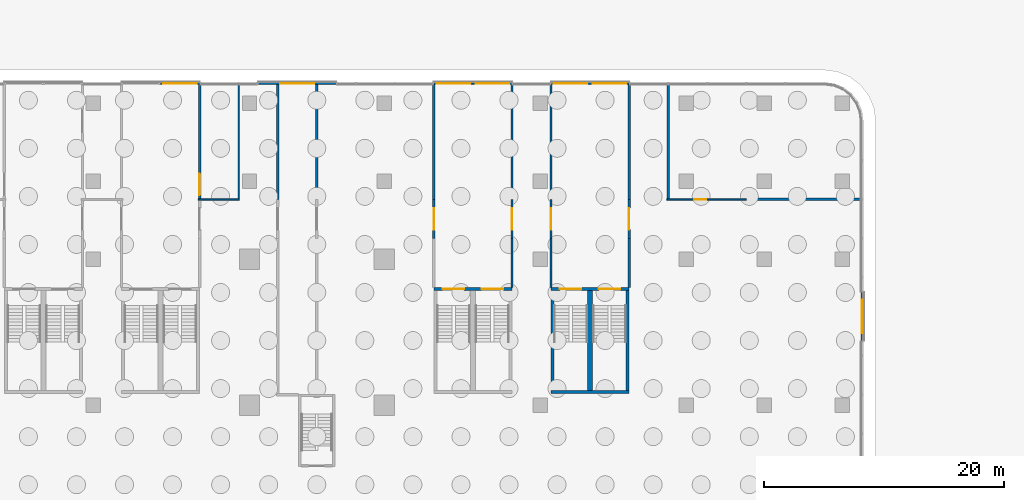
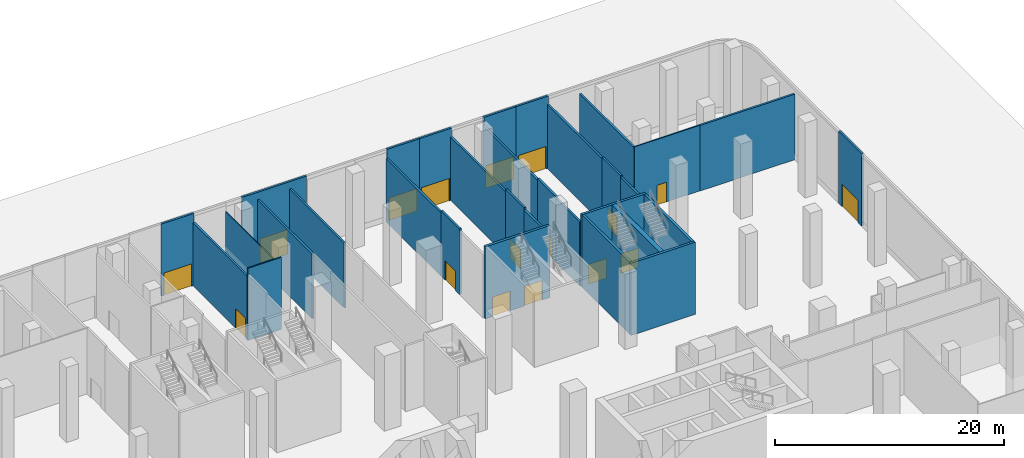
# One storey, part 23 of 27: 32 walls, 17 doors, 17 openings.
"""IFC4 building model written with IfcOpenShell, lengths in metres."""

from ifc_helpers import new_model, si_unit, direction, frame, frame_2d, origin, place, context, subcontext, project, spatial, rectangle, extrude, source, transform, mapped, material, layer, layer_set, type_object, element, fill, save


model = new_model("IFC4")

# Units and contexts
model_context = context("Model", 3, precision=1e-05, world=origin(), true_north=direction((0.0, 1.0)))
body_context = subcontext(model_context, "Body", "Model", "MODEL_VIEW")
ifc_project = project(units=[si_unit("LENGTHUNIT", "METRE"), si_unit("AREAUNIT", "SQUARE_METRE"), si_unit("VOLUMEUNIT", "CUBIC_METRE"), si_unit("PLANEANGLEUNIT", "RADIAN"), si_unit("MASSUNIT", "GRAM", prefix="KILO")], contexts=[model_context])

# Site, building, storey
site_placement = place(None, origin())
site = spatial("IfcSite", under=ifc_project, at=site_placement, CompositionType="ELEMENT")
building_placement = place(site_placement, origin())
building = spatial("IfcBuilding", under=site, at=building_placement, Name="Trellis Farm Tower", CompositionType="ELEMENT")
storey_placement = place(building_placement, origin())
storey = spatial("IfcBuildingStorey", under=building, at=storey_placement, Name="L00", CompositionType="ELEMENT", Elevation=0.0)

# Walls
ifc_material_1 = material(Name="Plasterboard on steel studs", Category="steel")
ifc_layer_1 = layer(ifc_material_1, 0.10009765625)
ifc_layer_set_1 = layer_set([ifc_layer_1], Name="PARTITION 100 STUD EI 30")
wall_type_1 = type_object("IfcWallType", Name="PARTITION 100 STUD EI 30", PredefinedType="PARTITIONING", material=ifc_layer_set_1)
wall_1_placement = place(storey_placement, frame((-6.5, 35.8125, 0.0), z_axis=(0.0, 0.0, 1.0), x_axis=(0.0, 1.0, 0.0)))
element("IfcWall", 1, at=wall_1_placement, inside=storey, type_object=wall_type_1, Name="Partition PW2", PredefinedType="PARTITIONING", context=body_context, shape_type="SweptSolid", body=[
    extrude(rectangle(XDim=9.487548828125, YDim=0.10009765625, at=frame_2d((4.74365234375, 0.0))), origin(), (0.0, 0.0, 1.0), 6.76171875),
])
ifc_material_2 = material(Name="Plasterboard on steel studs, mineral wool", Category="steel")
ifc_layer_2 = layer(ifc_material_2, 0.125)
ifc_layer_set_2 = layer_set([ifc_layer_2], Name="PARTITION 125 STUD EI 60")
wall_type_2 = type_object("IfcWallType", Name="PARTITION 125 STUD EI 60", PredefinedType="PARTITIONING", material=ifc_layer_set_2)
wall_2_placement = place(storey_placement, frame((-9.85009765625, 35.75, 0.0), z_axis=(0.0, 0.0, 1.0), x_axis=(1.0, 0.0, 0.0)))
element("IfcWall", 2, at=wall_2_placement, inside=storey, type_object=wall_type_2, Name="Partition PW1", PredefinedType="PARTITIONING", context=body_context, shape_type="SweptSolid", body=[
    extrude(rectangle(XDim=3.400146484375, YDim=0.125, at=frame_2d((1.7001953125, 0.0))), origin(), (0.0, 0.0, 1.0), 7.699951171875),
])

# Wall, opening, door
wall_3_placement = place(storey_placement, frame((29.14990234375, 35.75, 0.0), z_axis=(0.0, 0.0, 1.0), x_axis=(1.0, 0.0, 0.0)))
wall_3 = element("IfcWall", 3, at=wall_3_placement, inside=storey, type_object=wall_type_2, Name="Partition PW1", PredefinedType="PARTITIONING", context=body_context, shape_type="SweptSolid", body=[
    extrude(rectangle(XDim=6.60009765625, YDim=0.125, at=frame_2d((3.300048828125, 0.0))), origin(), (0.0, 0.0, 1.0), 6.99658203125),
])
shared_shape_1 = source(origin(), body_context, "Body", "SweptSolid", [
    extrude(rectangle(XDim=1.0, YDim=2.10009765625, at=frame_2d((0.5, 1.050048828125))), frame((0.0, 0.072509765625, 0.0), z_axis=(0.0, -1.0, 0.0), x_axis=(1.0, 0.0, 0.0)), (0.0, 0.0, 1.0), 0.14501953125),
])
opening_1_placement = place(wall_3_placement, frame((2.25, 0.0, 0.0)))
opening_1 = element("IfcOpeningElement", 4, at=opening_1_placement, cuts=wall_3, Name="Opening D312", PredefinedType="OPENING", context=body_context, shape_type="MappedRepresentation", body=[
    mapped(shared_shape_1, transform((0.0, 0.0, 0.0))),
])
ifc_material_3 = material(Name="Fire-rated timber door leaf in a hollow metal frame", Category="wood")
door_type_1 = type_object("IfcDoorType", Name="DOOR 1000x2100 FD60", OperationType="NOTDEFINED", PredefinedType="DOOR", material=ifc_material_3)
shared_shape_2 = source(origin(), body_context, "Body", "SweptSolid", [
    extrude(rectangle(XDim=1.0, YDim=2.10009765625, at=frame_2d((0.5, 1.050048828125))), frame((0.0, 0.02490234375, 0.0), z_axis=(0.0, -1.0, 0.0), x_axis=(1.0, 0.0, 0.0)), (0.0, 0.0, 1.0), 0.050048828125),
])
door_1_placement = place(opening_1_placement, origin())
door_1 = element("IfcDoor", 5, at=door_1_placement, inside=storey, type_object=door_type_1, Name="Door D312", OperationType="SINGLE_SWING_LEFT", OverallHeight=2.10009765625, OverallWidth=1.0, PredefinedType="DOOR", context=body_context, shape_type="MappedRepresentation", body=[
    mapped(shared_shape_2, transform((0.0, 0.0, 0.0))),
])
fill(opening_1, door_1)

# Wall, openings, doors
ifc_material_4 = material(Name="Concrete C80/95", Category="concrete")
ifc_layer_3 = layer(ifc_material_4, 0.25)
ifc_layer_set_3 = layer_set([ifc_layer_3], Name="CORE STAIR ENCLOSURE WALL 250 CONCRETE C80/95")
wall_type_3 = type_object("IfcWallType", Name="CORE STAIR ENCLOSURE WALL 250 CONCRETE C80/95", PredefinedType="SHEAR", material=ifc_layer_set_3)
shared_shape_3 = source(origin(), body_context, "Body", "SweptSolid", [
    extrude(rectangle(XDim=6.5, YDim=0.25, at=frame_2d((3.25, 0.0))), origin(), (0.0, 0.0, 1.0), 7.699951171875),
])
wall_4_placement = place(storey_placement, frame((9.75, 28.27490234375, 0.0), z_axis=(0.0, 0.0, 1.0), x_axis=(1.0, 0.0, 0.0)))
wall_4 = element("IfcWall", 6, at=wall_4_placement, inside=storey, type_object=wall_type_3, Name="Podium stair enclosure wall", PredefinedType="SHEAR", context=body_context, shape_type="MappedRepresentation", body=[
    mapped(shared_shape_3, transform((0.0, 0.0, 0.0))),
])
shared_shape_4 = source(origin(), body_context, "Body", "SweptSolid", [
    extrude(rectangle(XDim=1.800048828125, YDim=2.10009765625, at=frame_2d((0.89990234375, 1.050048828125))), frame((0.0, 0.135009765625, 0.0), z_axis=(0.0, -1.0, 0.0), x_axis=(1.0, 0.0, 0.0)), (0.0, 0.0, 1.0), 0.27001953125),
])
opening_2_placement = place(wall_4_placement, frame((0.72509765625, 0.0, 0.0)))
opening_2 = element("IfcOpeningElement", 7, at=opening_2_placement, cuts=wall_4, Name="Opening DP5", PredefinedType="OPENING", context=body_context, shape_type="MappedRepresentation", body=[
    mapped(shared_shape_4, transform((0.0, 0.0, 0.0))),
])
opening_3_placement = place(wall_4_placement, frame((3.97509765625, 0.0, 0.0)))
opening_3 = element("IfcOpeningElement", 8, at=opening_3_placement, cuts=wall_4, Name="Opening DP6", PredefinedType="OPENING", context=body_context, shape_type="MappedRepresentation", body=[
    mapped(shared_shape_4, transform((0.0, 0.0, 0.0))),
])
ifc_material_5 = material(Name="Steel", Category="steel")
door_type_2 = type_object("IfcDoorType", Name="CORE FIRE DOOR DOUBLE 1800 X 2100", OperationType="DOUBLE_DOOR_SINGLE_SWING", PredefinedType="DOOR", material=ifc_material_5)
shared_shape_5 = source(origin(), body_context, "Body", "SweptSolid", [
    extrude(rectangle(XDim=1.800048828125, YDim=2.10009765625, at=frame_2d((0.89990234375, 1.050048828125))), frame((0.0, 0.02490234375, 0.0), z_axis=(0.0, -1.0, 0.0), x_axis=(1.0, 0.0, 0.0)), (0.0, 0.0, 1.0), 0.050048828125),
])
door_2_placement = place(opening_2_placement, origin())
door_2 = element("IfcDoor", 9, at=door_2_placement, inside=storey, type_object=door_type_2, Name="Podium stair door", OperationType="DOUBLE_DOOR_SINGLE_SWING", OverallHeight=2.10009765625, OverallWidth=1.800048828125, PredefinedType="DOOR", context=body_context, shape_type="MappedRepresentation", body=[
    mapped(shared_shape_5, transform((0.0, 0.0, 0.0))),
])
fill(opening_2, door_2)
door_3_placement = place(opening_3_placement, origin())
door_3 = element("IfcDoor", 10, at=door_3_placement, inside=storey, type_object=door_type_2, Name="Podium stair door", OperationType="DOUBLE_DOOR_SINGLE_SWING", OverallHeight=2.10009765625, OverallWidth=1.800048828125, PredefinedType="DOOR", context=body_context, shape_type="MappedRepresentation", body=[
    mapped(shared_shape_5, transform((0.0, 0.0, 0.0))),
])
fill(opening_3, door_3)

wall_5_placement = place(storey_placement, frame((19.5, 28.27490234375, 0.0), z_axis=(0.0, 0.0, 1.0), x_axis=(1.0, 0.0, 0.0)))
wall_5 = element("IfcWall", 11, at=wall_5_placement, inside=storey, type_object=wall_type_3, Name="Podium stair enclosure wall", PredefinedType="SHEAR", context=body_context, shape_type="MappedRepresentation", body=[
    mapped(shared_shape_3, transform((0.0, 0.0, 0.0))),
])
opening_4_placement = place(wall_5_placement, frame((0.72509765625, 0.0, 0.0)))
opening_4 = element("IfcOpeningElement", 12, at=opening_4_placement, cuts=wall_5, Name="Opening DP7", PredefinedType="OPENING", context=body_context, shape_type="MappedRepresentation", body=[
    mapped(shared_shape_4, transform((0.0, 0.0, 0.0))),
])
opening_5_placement = place(wall_5_placement, frame((3.97509765625, 0.0, 0.0)))
opening_5 = element("IfcOpeningElement", 13, at=opening_5_placement, cuts=wall_5, Name="Opening DP8", PredefinedType="OPENING", context=body_context, shape_type="MappedRepresentation", body=[
    mapped(shared_shape_4, transform((0.0, 0.0, 0.0))),
])
door_4_placement = place(opening_4_placement, origin())
door_4 = element("IfcDoor", 14, at=door_4_placement, inside=storey, type_object=door_type_2, Name="Podium stair door", OperationType="DOUBLE_DOOR_SINGLE_SWING", OverallHeight=2.10009765625, OverallWidth=1.800048828125, PredefinedType="DOOR", context=body_context, shape_type="MappedRepresentation", body=[
    mapped(shared_shape_5, transform((0.0, 0.0, 0.0))),
])
fill(opening_4, door_4)
door_5_placement = place(opening_5_placement, origin())
door_5 = element("IfcDoor", 15, at=door_5_placement, inside=storey, type_object=door_type_2, Name="Podium stair door", OperationType="DOUBLE_DOOR_SINGLE_SWING", OverallHeight=2.10009765625, OverallWidth=1.800048828125, PredefinedType="DOOR", context=body_context, shape_type="MappedRepresentation", body=[
    mapped(shared_shape_5, transform((0.0, 0.0, 0.0))),
])
fill(opening_5, door_5)

# Walls
wall_6_placement = place(storey_placement, frame((19.5, 19.72509765625, 0.0), z_axis=(0.0, 0.0, 1.0), x_axis=(1.0, 0.0, 0.0)))
element("IfcWall", 16, at=wall_6_placement, inside=storey, type_object=wall_type_3, Name="Podium stair enclosure wall", PredefinedType="SHEAR", context=body_context, shape_type="MappedRepresentation", body=[
    mapped(shared_shape_3, transform((0.0, 0.0, 0.0))),
])
shared_shape_6 = source(origin(), body_context, "Body", "SweptSolid", [
    extrude(rectangle(XDim=8.2998046875, YDim=0.25, at=frame_2d((4.14990234375, 0.0))), origin(), (0.0, 0.0, 1.0), 7.699951171875),
])
for number, where, z_axis, x_axis, name in (
    (17, (19.625, 19.85009765625, 0.0), (0.0, 0.0, 1.0), (0.0, 1.0, 0.0), "Podium stair enclosure wall"),
    (18, (25.875, 19.85009765625, 0.0), (0.0, 0.0, 1.0), (0.0, 1.0, 0.0), "Podium stair enclosure wall"),
):
    element("IfcWall", number, at=place(storey_placement, frame(where, z_axis=z_axis, x_axis=x_axis)), inside=storey, type_object=wall_type_3, Name=name, PredefinedType="SHEAR", context=body_context, shape_type="MappedRepresentation", body=[
        mapped(shared_shape_6, transform((0.0, 0.0, 0.0))),
    ])
ifc_layer_4 = layer(ifc_material_4, 0.43994140625)
ifc_layer_set_4 = layer_set([ifc_layer_4], Name="CORE STAIR ENCLOSURE WALL 440 CONCRETE C80/95")
wall_type_4 = type_object("IfcWallType", Name="CORE STAIR ENCLOSURE WALL 440 CONCRETE C80/95", PredefinedType="SHEAR", material=ifc_layer_set_4)
shared_shape_7 = source(origin(), body_context, "Body", "SweptSolid", [
    extrude(rectangle(XDim=8.2998046875, YDim=0.43994140625, at=frame_2d((4.14990234375, 0.0))), origin(), (0.0, 0.0, 1.0), 7.699951171875),
])
wall_7_placement = place(storey_placement, frame((22.75, 19.85009765625, 0.0), z_axis=(0.0, 0.0, 1.0), x_axis=(0.0, 1.0, 0.0)))
element("IfcWall", 19, at=wall_7_placement, inside=storey, type_object=wall_type_4, Name="Podium stair enclosure wall", PredefinedType="SHEAR", context=body_context, shape_type="MappedRepresentation", body=[
    mapped(shared_shape_7, transform((0.0, 0.0, 0.0))),
])

# Wall, opening, door
ifc_material_6 = material(Name="Sandstone faced insulated wall", Category="masonry")
ifc_layer_5 = layer(ifc_material_6, 0.199951171875)
ifc_layer_set_5 = layer_set([ifc_layer_5], Name="EXTERNAL INFILL WALL 200")
wall_type_5 = type_object("IfcWallType", Name="EXTERNAL INFILL WALL 200", PredefinedType="SOLIDWALL", material=ifc_layer_set_5)
shared_shape_8 = source(origin(), body_context, "Body", "SweptSolid", [
    extrude(rectangle(XDim=4.0, YDim=0.199951171875, at=frame_2d((2.0, 0.0))), origin(), (0.0, 0.0, 1.0), 7.699951171875),
])
wall_8_placement = place(storey_placement, frame((45.39990234375, 28.0, 0.0), z_axis=(0.0, 0.0, 1.0), x_axis=(0.0, -1.0, 0.0)))
wall_8 = element("IfcWall", 20, at=wall_8_placement, inside=storey, type_object=wall_type_5, Name="EW1 03", PredefinedType="SOLIDWALL", context=body_context, shape_type="MappedRepresentation", body=[
    mapped(shared_shape_8, transform((0.0, 0.0, 0.0))),
])
shared_shape_9 = source(origin(), body_context, "Body", "SweptSolid", [
    extrude(rectangle(XDim=2.800048828125, YDim=2.39990234375, at=frame_2d((1.39990234375, 1.199951171875))), frame((0.0, 0.110107421875, 0.0), z_axis=(0.0, -1.0, 0.0), x_axis=(1.0, 0.0, 0.0)), (0.0, 0.0, 1.0), 0.22021484375),
])
opening_6_placement = place(wall_8_placement, frame((0.60009765625, 0.0, 0.0)))
opening_6 = element("IfcOpeningElement", 21, at=opening_6_placement, cuts=wall_8, Name="Opening ED4", PredefinedType="OPENING", context=body_context, shape_type="MappedRepresentation", body=[
    mapped(shared_shape_9, transform((0.0, 0.0, 0.0))),
])
ifc_material_7 = material(Name="Steel framed door", Category="steel")
door_type_3 = type_object("IfcDoorType", Name="EXIT DOOR 2800x2400", OperationType="DOUBLE_DOOR_SINGLE_SWING", PredefinedType="DOOR", material=ifc_material_7)
shared_shape_10 = source(origin(), body_context, "Body", "SweptSolid", [
    extrude(rectangle(XDim=2.800048828125, YDim=2.39990234375, at=frame_2d((1.39990234375, 1.199951171875))), frame((0.0, 0.02490234375, 0.0), z_axis=(0.0, -1.0, 0.0), x_axis=(1.0, 0.0, 0.0)), (0.0, 0.0, 1.0), 0.050048828125),
])
door_6_placement = place(opening_6_placement, origin())
door_6 = element("IfcDoor", 22, at=door_6_placement, inside=storey, type_object=door_type_3, Name="Exit door", OperationType="DOUBLE_DOOR_SINGLE_SWING", OverallHeight=2.39990234375, OverallWidth=2.800048828125, PredefinedType="DOOR", context=body_context, shape_type="MappedRepresentation", body=[
    mapped(shared_shape_10, transform((0.0, 0.0, 0.0))),
])
fill(opening_6, door_6)

shared_shape_11 = source(origin(), body_context, "Body", "SweptSolid", [
    extrude(rectangle(XDim=3.25, YDim=0.199951171875, at=frame_2d((1.625, 0.0))), origin(), (0.0, 0.0, 1.0), 7.699951171875),
])
wall_9_placement = place(storey_placement, frame((22.75, 45.39990234375, 0.0), z_axis=(0.0, 0.0, 1.0), x_axis=(1.0, 0.0, 0.0)))
wall_9 = element("IfcWall", 23, at=wall_9_placement, inside=storey, type_object=wall_type_5, Name="EW1 04", PredefinedType="SOLIDWALL", context=body_context, shape_type="MappedRepresentation", body=[
    mapped(shared_shape_11, transform((0.0, 0.0, 0.0))),
])
opening_7_placement = place(wall_9_placement, frame((0.22509765625, 0.0, 0.0)))
opening_7 = element("IfcOpeningElement", 24, at=opening_7_placement, cuts=wall_9, Name="Opening ED4", PredefinedType="OPENING", context=body_context, shape_type="MappedRepresentation", body=[
    mapped(shared_shape_9, transform((0.0, 0.0, 0.0))),
])
door_7_placement = place(opening_7_placement, origin())
door_7 = element("IfcDoor", 25, at=door_7_placement, inside=storey, type_object=door_type_3, Name="Exit door", OperationType="DOUBLE_DOOR_SINGLE_SWING", OverallHeight=2.39990234375, OverallWidth=2.800048828125, PredefinedType="DOOR", context=body_context, shape_type="MappedRepresentation", body=[
    mapped(shared_shape_10, transform((0.0, 0.0, 0.0))),
])
fill(opening_7, door_7)

wall_10_placement = place(storey_placement, frame((19.5, 45.39990234375, 0.0), z_axis=(0.0, 0.0, 1.0), x_axis=(1.0, 0.0, 0.0)))
wall_10 = element("IfcWall", 26, at=wall_10_placement, inside=storey, type_object=wall_type_5, Name="EW1 05", PredefinedType="SOLIDWALL", context=body_context, shape_type="MappedRepresentation", body=[
    mapped(shared_shape_11, transform((0.0, 0.0, 0.0))),
])
opening_8_placement = place(wall_10_placement, frame((0.22509765625, 0.0, 0.0)))
opening_8 = element("IfcOpeningElement", 27, at=opening_8_placement, cuts=wall_10, Name="Opening ED4", PredefinedType="OPENING", context=body_context, shape_type="MappedRepresentation", body=[
    mapped(shared_shape_9, transform((0.0, 0.0, 0.0))),
])
door_8_placement = place(opening_8_placement, origin())
door_8 = element("IfcDoor", 28, at=door_8_placement, inside=storey, type_object=door_type_3, Name="Exit door", OperationType="DOUBLE_DOOR_SINGLE_SWING", OverallHeight=2.39990234375, OverallWidth=2.800048828125, PredefinedType="DOOR", context=body_context, shape_type="MappedRepresentation", body=[
    mapped(shared_shape_10, transform((0.0, 0.0, 0.0))),
])
fill(opening_8, door_8)

wall_11_placement = place(storey_placement, frame((13.0, 45.39990234375, 0.0), z_axis=(0.0, 0.0, 1.0), x_axis=(1.0, 0.0, 0.0)))
wall_11 = element("IfcWall", 29, at=wall_11_placement, inside=storey, type_object=wall_type_5, Name="EW1 06", PredefinedType="SOLIDWALL", context=body_context, shape_type="MappedRepresentation", body=[
    mapped(shared_shape_11, transform((0.0, 0.0, 0.0))),
])
opening_9_placement = place(wall_11_placement, frame((0.22509765625, 0.0, 0.0)))
opening_9 = element("IfcOpeningElement", 30, at=opening_9_placement, cuts=wall_11, Name="Opening ED4", PredefinedType="OPENING", context=body_context, shape_type="MappedRepresentation", body=[
    mapped(shared_shape_9, transform((0.0, 0.0, 0.0))),
])
door_9_placement = place(opening_9_placement, origin())
door_9 = element("IfcDoor", 31, at=door_9_placement, inside=storey, type_object=door_type_3, Name="Exit door", OperationType="DOUBLE_DOOR_SINGLE_SWING", OverallHeight=2.39990234375, OverallWidth=2.800048828125, PredefinedType="DOOR", context=body_context, shape_type="MappedRepresentation", body=[
    mapped(shared_shape_10, transform((0.0, 0.0, 0.0))),
])
fill(opening_9, door_9)

wall_12_placement = place(storey_placement, frame((9.75, 45.39990234375, 0.0), z_axis=(0.0, 0.0, 1.0), x_axis=(1.0, 0.0, 0.0)))
wall_12 = element("IfcWall", 32, at=wall_12_placement, inside=storey, type_object=wall_type_5, Name="EW1 07", PredefinedType="SOLIDWALL", context=body_context, shape_type="MappedRepresentation", body=[
    mapped(shared_shape_11, transform((0.0, 0.0, 0.0))),
])
opening_10_placement = place(wall_12_placement, frame((0.22509765625, 0.0, 0.0)))
opening_10 = element("IfcOpeningElement", 33, at=opening_10_placement, cuts=wall_12, Name="Opening ED4", PredefinedType="OPENING", context=body_context, shape_type="MappedRepresentation", body=[
    mapped(shared_shape_9, transform((0.0, 0.0, 0.0))),
])
door_10_placement = place(opening_10_placement, origin())
door_10 = element("IfcDoor", 34, at=door_10_placement, inside=storey, type_object=door_type_3, Name="Exit door", OperationType="DOUBLE_DOOR_SINGLE_SWING", OverallHeight=2.39990234375, OverallWidth=2.800048828125, PredefinedType="DOOR", context=body_context, shape_type="MappedRepresentation", body=[
    mapped(shared_shape_10, transform((0.0, 0.0, 0.0))),
])
fill(opening_10, door_10)

wall_13_placement = place(storey_placement, frame((-13.0, 45.39990234375, 0.0), z_axis=(0.0, 0.0, 1.0), x_axis=(1.0, 0.0, 0.0)))
wall_13 = element("IfcWall", 35, at=wall_13_placement, inside=storey, type_object=wall_type_5, Name="EW1 09", PredefinedType="SOLIDWALL", context=body_context, shape_type="MappedRepresentation", body=[
    mapped(shared_shape_11, transform((0.0, 0.0, 0.0))),
])
opening_11_placement = place(wall_13_placement, frame((0.22509765625, 0.0, 0.0)))
opening_11 = element("IfcOpeningElement", 36, at=opening_11_placement, cuts=wall_13, Name="Opening ED4", PredefinedType="OPENING", context=body_context, shape_type="MappedRepresentation", body=[
    mapped(shared_shape_9, transform((0.0, 0.0, 0.0))),
])
door_11_placement = place(opening_11_placement, origin())
door_11 = element("IfcDoor", 37, at=door_11_placement, inside=storey, type_object=door_type_3, Name="Exit door", OperationType="DOUBLE_DOOR_SINGLE_SWING", OverallHeight=2.39990234375, OverallWidth=2.800048828125, PredefinedType="DOOR", context=body_context, shape_type="MappedRepresentation", body=[
    mapped(shared_shape_10, transform((0.0, 0.0, 0.0))),
])
fill(opening_11, door_11)

shared_shape_12 = source(origin(), body_context, "Body", "SweptSolid", [
    extrude(rectangle(XDim=6.5, YDim=0.199951171875, at=frame_2d((3.25, 0.0))), origin(), (0.0, 0.0, 1.0), 7.699951171875),
])
wall_14_placement = place(storey_placement, frame((-4.875, 45.39990234375, 0.0), z_axis=(0.0, 0.0, 1.0), x_axis=(1.0, 0.0, 0.0)))
wall_14 = element("IfcWall", 38, at=wall_14_placement, inside=storey, type_object=wall_type_5, Name="EW1 08", PredefinedType="SOLIDWALL", context=body_context, shape_type="MappedRepresentation", body=[
    mapped(shared_shape_12, transform((0.0, 0.0, 0.0))),
])
shared_shape_13 = source(origin(), body_context, "Body", "SweptSolid", [
    extrude(rectangle(XDim=2.800048828125, YDim=2.60009765625, at=frame_2d((1.39990234375, 1.300048828125))), frame((0.0, 0.110107421875, 0.0), z_axis=(0.0, -1.0, 0.0), x_axis=(1.0, 0.0, 0.0)), (0.0, 0.0, 1.0), 0.22021484375),
])
opening_12_placement = place(wall_14_placement, frame((1.85009765625, 0.0, 0.0)))
opening_12 = element("IfcOpeningElement", 39, at=opening_12_placement, cuts=wall_14, Name="Opening ED3", PredefinedType="OPENING", context=body_context, shape_type="MappedRepresentation", body=[
    mapped(shared_shape_13, transform((0.0, 0.0, 0.0))),
])
ifc_material_8 = material(Name="Aluminium framed glazed door", Category="aluminium")
door_type_4 = type_object("IfcDoorType", Name="ENTRANCE DOOR 2800x2600", OperationType="DOUBLE_DOOR_SINGLE_SWING", PredefinedType="DOOR", material=ifc_material_8)
shared_shape_14 = source(origin(), body_context, "Body", "SweptSolid", [
    extrude(rectangle(XDim=2.800048828125, YDim=2.60009765625, at=frame_2d((1.39990234375, 1.300048828125))), frame((0.0, 0.02490234375, 0.0), z_axis=(0.0, -1.0, 0.0), x_axis=(1.0, 0.0, 0.0)), (0.0, 0.0, 1.0), 0.050048828125),
])
door_12_placement = place(opening_12_placement, origin())
door_12 = element("IfcDoor", 40, at=door_12_placement, inside=storey, type_object=door_type_4, Name="Entrance door", OperationType="DOUBLE_DOOR_SINGLE_SWING", OverallHeight=2.60009765625, OverallWidth=2.800048828125, PredefinedType="DOOR", context=body_context, shape_type="MappedRepresentation", body=[
    mapped(shared_shape_14, transform((0.0, 0.0, 0.0))),
])
fill(opening_12, door_12)

# Walls
ifc_material_9 = material(Name="Lightweight blockwork, plastered", Category="masonry")
ifc_layer_6 = layer(ifc_material_9, 0.199951171875)
ifc_layer_set_6 = layer_set([ifc_layer_6], Name="BLOCK WALL 200 EI 120")
wall_type_6 = type_object("IfcWallType", Name="BLOCK WALL 200 EI 120", PredefinedType="PARTITIONING", material=ifc_layer_set_6)
shared_shape_15 = source(origin(), body_context, "Body", "SweptSolid", [
    extrude(rectangle(XDim=4.10009765625, YDim=0.199951171875, at=frame_2d((2.050048828125, 0.0))), origin(), (0.0, 0.0, 1.0), 6.83935546875),
])
for number, where, z_axis, x_axis, name in (
    (41, (19.5, 28.39990234375, 0.0), (0.0, 0.0, 1.0), (0.0, 1.0, 0.0), "Partition PW3"),
    (42, (26.0, 28.39990234375, 0.0), (0.0, 0.0, 1.0), (0.0, 1.0, 0.0), "Partition PW3"),
):
    element("IfcWall", number, at=place(storey_placement, frame(where, z_axis=z_axis, x_axis=x_axis)), inside=storey, type_object=wall_type_6, Name=name, PredefinedType="PARTITIONING", context=body_context, shape_type="MappedRepresentation", body=[
        mapped(shared_shape_15, transform((0.0, 0.0, 0.0))),
    ])
shared_shape_16 = source(origin(), body_context, "Body", "SweptSolid", [
    extrude(rectangle(XDim=9.487548828125, YDim=0.199951171875, at=frame_2d((4.74365234375, 0.0))), origin(), (0.0, 0.0, 1.0), 6.83935546875),
])
wall_15_placement = place(storey_placement, frame((29.25, 35.8125, 0.0), z_axis=(0.0, 0.0, 1.0), x_axis=(0.0, 1.0, 0.0)))
element("IfcWall", 43, at=wall_15_placement, inside=storey, type_object=wall_type_6, Name="Partition PW3", PredefinedType="PARTITIONING", context=body_context, shape_type="MappedRepresentation", body=[
    mapped(shared_shape_16, transform((0.0, 0.0, 0.0))),
])
shared_shape_17 = source(origin(), body_context, "Body", "SweptSolid", [
    extrude(rectangle(XDim=4.10009765625, YDim=0.199951171875, at=frame_2d((2.050048828125, 0.0))), origin(), (0.0, 0.0, 1.0), 6.76171875),
])
wall_16_placement = place(storey_placement, frame((16.25, 28.39990234375, 0.0), z_axis=(0.0, 0.0, 1.0), x_axis=(0.0, 1.0, 0.0)))
element("IfcWall", 44, at=wall_16_placement, inside=storey, type_object=wall_type_6, Name="Partition PW3", PredefinedType="PARTITIONING", context=body_context, shape_type="MappedRepresentation", body=[
    mapped(shared_shape_17, transform((0.0, 0.0, 0.0))),
])

# Wall, opening, door
shared_shape_18 = source(origin(), body_context, "Body", "SweptSolid", [
    extrude(rectangle(XDim=9.487548828125, YDim=0.199951171875, at=frame_2d((4.74365234375, 0.0))), origin(), (0.0, 0.0, 1.0), 6.76171875),
])
wall_17_placement = place(storey_placement, frame((-9.75, 45.300048828125, 0.0), z_axis=(0.0, 0.0, 1.0), x_axis=(0.0, -1.0, 0.0)))
wall_17 = element("IfcWall", 45, at=wall_17_placement, inside=storey, type_object=wall_type_6, Name="Partition PW3", PredefinedType="PARTITIONING", context=body_context, shape_type="MappedRepresentation", body=[
    mapped(shared_shape_18, transform((0.0, 0.0, 0.0))),
])
shared_shape_19 = source(origin(), body_context, "Body", "SweptSolid", [
    extrude(rectangle(XDim=1.800048828125, YDim=2.10009765625, at=frame_2d((0.89990234375, 1.050048828125))), frame((0.0, 0.110107421875, 0.0), z_axis=(0.0, -1.0, 0.0), x_axis=(1.0, 0.0, 0.0)), (0.0, 0.0, 1.0), 0.22021484375),
])
opening_13_placement = place(wall_17_placement, frame((7.39990234375, 0.0, 0.0)))
opening_13 = element("IfcOpeningElement", 46, at=opening_13_placement, cuts=wall_17, Name="Opening D206", PredefinedType="OPENING", context=body_context, shape_type="MappedRepresentation", body=[
    mapped(shared_shape_19, transform((0.0, 0.0, 0.0))),
])
door_type_5 = type_object("IfcDoorType", Name="DOOR PAIR 1800x2100 FD30S", OperationType="NOTDEFINED", PredefinedType="DOOR", material=ifc_material_3)
door_13_placement = place(opening_13_placement, origin())
door_13 = element("IfcDoor", 47, at=door_13_placement, inside=storey, type_object=door_type_5, Name="Door D206", OperationType="DOUBLE_DOOR_SINGLE_SWING", OverallHeight=2.10009765625, OverallWidth=1.800048828125, PredefinedType="DOOR", context=body_context, shape_type="MappedRepresentation", body=[
    mapped(shared_shape_5, transform((0.0, 0.0, 0.0))),
])
fill(opening_13, door_13)

shared_shape_20 = source(origin(), body_context, "Body", "SweptSolid", [
    extrude(rectangle(XDim=3.25, YDim=0.199951171875, at=frame_2d((1.625, 0.0))), origin(), (0.0, 0.0, 1.0), 6.99658203125),
])
wall_18_placement = place(storey_placement, frame((9.75, 32.5, 0.0), z_axis=(0.0, 0.0, 1.0), x_axis=(0.0, 1.0, 0.0)))
wall_18 = element("IfcWall", 48, at=wall_18_placement, inside=storey, type_object=wall_type_6, Name="Partition PW3", PredefinedType="PARTITIONING", context=body_context, shape_type="MappedRepresentation", body=[
    mapped(shared_shape_20, transform((0.0, 0.0, 0.0))),
])
opening_14_placement = place(wall_18_placement, frame((0.72509765625, 0.0, 0.0)))
opening_14 = element("IfcOpeningElement", 49, at=opening_14_placement, cuts=wall_18, Name="Opening D428", PredefinedType="OPENING", context=body_context, shape_type="MappedRepresentation", body=[
    mapped(shared_shape_19, transform((0.0, 0.0, 0.0))),
])
door_type_6 = type_object("IfcDoorType", Name="DOOR PAIR 1800x2100 FD60", OperationType="NOTDEFINED", PredefinedType="DOOR", material=ifc_material_3)
door_14_placement = place(opening_14_placement, origin())
door_14 = element("IfcDoor", 50, at=door_14_placement, inside=storey, type_object=door_type_6, Name="Door D428", OperationType="DOUBLE_DOOR_SINGLE_SWING", OverallHeight=2.10009765625, OverallWidth=1.800048828125, PredefinedType="DOOR", context=body_context, shape_type="MappedRepresentation", body=[
    mapped(shared_shape_5, transform((0.0, 0.0, 0.0))),
])
fill(opening_14, door_14)

wall_19_placement = place(storey_placement, frame((16.25, 35.75, 0.0), z_axis=(0.0, 0.0, 1.0), x_axis=(0.0, -1.0, 0.0)))
wall_19 = element("IfcWall", 51, at=wall_19_placement, inside=storey, type_object=wall_type_6, Name="Partition PW3", PredefinedType="PARTITIONING", context=body_context, shape_type="MappedRepresentation", body=[
    mapped(shared_shape_20, transform((0.0, 0.0, 0.0))),
])
opening_15_placement = place(wall_19_placement, frame((0.72509765625, 0.0, 0.0)))
opening_15 = element("IfcOpeningElement", 52, at=opening_15_placement, cuts=wall_19, Name="Opening D429", PredefinedType="OPENING", context=body_context, shape_type="MappedRepresentation", body=[
    mapped(shared_shape_19, transform((0.0, 0.0, 0.0))),
])
door_15_placement = place(opening_15_placement, origin())
door_15 = element("IfcDoor", 53, at=door_15_placement, inside=storey, type_object=door_type_6, Name="Door D429", OperationType="DOUBLE_DOOR_SINGLE_SWING", OverallHeight=2.10009765625, OverallWidth=1.800048828125, PredefinedType="DOOR", context=body_context, shape_type="MappedRepresentation", body=[
    mapped(shared_shape_5, transform((0.0, 0.0, 0.0))),
])
fill(opening_15, door_15)

wall_20_placement = place(storey_placement, frame((19.5, 32.5, 0.0), z_axis=(0.0, 0.0, 1.0), x_axis=(0.0, 1.0, 0.0)))
wall_20 = element("IfcWall", 54, at=wall_20_placement, inside=storey, type_object=wall_type_6, Name="Partition PW3", PredefinedType="PARTITIONING", context=body_context, shape_type="MappedRepresentation", body=[
    mapped(shared_shape_20, transform((0.0, 0.0, 0.0))),
])
opening_16_placement = place(wall_20_placement, frame((0.72509765625, 0.0, 0.0)))
opening_16 = element("IfcOpeningElement", 55, at=opening_16_placement, cuts=wall_20, Name="Opening D430", PredefinedType="OPENING", context=body_context, shape_type="MappedRepresentation", body=[
    mapped(shared_shape_19, transform((0.0, 0.0, 0.0))),
])
door_16_placement = place(opening_16_placement, origin())
door_16 = element("IfcDoor", 56, at=door_16_placement, inside=storey, type_object=door_type_6, Name="Door D430", OperationType="DOUBLE_DOOR_SINGLE_SWING", OverallHeight=2.10009765625, OverallWidth=1.800048828125, PredefinedType="DOOR", context=body_context, shape_type="MappedRepresentation", body=[
    mapped(shared_shape_5, transform((0.0, 0.0, 0.0))),
])
fill(opening_16, door_16)

wall_21_placement = place(storey_placement, frame((26.0, 35.75, 0.0), z_axis=(0.0, 0.0, 1.0), x_axis=(0.0, -1.0, 0.0)))
wall_21 = element("IfcWall", 57, at=wall_21_placement, inside=storey, type_object=wall_type_6, Name="Partition PW3", PredefinedType="PARTITIONING", context=body_context, shape_type="MappedRepresentation", body=[
    mapped(shared_shape_20, transform((0.0, 0.0, 0.0))),
])
opening_17_placement = place(wall_21_placement, frame((0.72509765625, 0.0, 0.0)))
opening_17 = element("IfcOpeningElement", 58, at=opening_17_placement, cuts=wall_21, Name="Opening D431", PredefinedType="OPENING", context=body_context, shape_type="MappedRepresentation", body=[
    mapped(shared_shape_19, transform((0.0, 0.0, 0.0))),
])
door_17_placement = place(opening_17_placement, origin())
door_17 = element("IfcDoor", 59, at=door_17_placement, inside=storey, type_object=door_type_6, Name="Door D431", OperationType="DOUBLE_DOOR_SINGLE_SWING", OverallHeight=2.10009765625, OverallWidth=1.800048828125, PredefinedType="DOOR", context=body_context, shape_type="MappedRepresentation", body=[
    mapped(shared_shape_5, transform((0.0, 0.0, 0.0))),
])
fill(opening_17, door_17)

# Walls
shared_shape_21 = source(origin(), body_context, "Body", "SweptSolid", [
    extrude(rectangle(XDim=9.550048828125, YDim=0.199951171875, at=frame_2d((4.77490234375, 0.0))), origin(), (0.0, 0.0, 1.0), 6.917724609375),
])
for number, where, z_axis, x_axis, name in (
    (60, (-3.25, 35.75, 0.0), (0.0, 0.0, 1.0), (0.0, 1.0, 0.0), "Partition PW3"),
    (61, (0.0, 45.300048828125, 0.0), (0.0, 0.0, 1.0), (0.0, -1.0, 0.0), "Partition PW3"),
):
    element("IfcWall", number, at=place(storey_placement, frame(where, z_axis=z_axis, x_axis=x_axis)), inside=storey, type_object=wall_type_6, Name=name, PredefinedType="PARTITIONING", context=body_context, shape_type="MappedRepresentation", body=[
        mapped(shared_shape_21, transform((0.0, 0.0, 0.0))),
    ])
shared_shape_22 = source(origin(), body_context, "Body", "SweptSolid", [
    extrude(rectangle(XDim=9.550048828125, YDim=0.199951171875, at=frame_2d((4.77490234375, 0.0))), origin(), (0.0, 0.0, 1.0), 6.76171875),
])
for number, where, z_axis, x_axis, name in (
    (62, (9.75, 35.75, 0.0), (0.0, 0.0, 1.0), (0.0, 1.0, 0.0), "Partition PW3"),
    (63, (16.25, 45.300048828125, 0.0), (0.0, 0.0, 1.0), (0.0, -1.0, 0.0), "Partition PW3"),
):
    element("IfcWall", number, at=place(storey_placement, frame(where, z_axis=z_axis, x_axis=x_axis)), inside=storey, type_object=wall_type_6, Name=name, PredefinedType="PARTITIONING", context=body_context, shape_type="MappedRepresentation", body=[
        mapped(shared_shape_22, transform((0.0, 0.0, 0.0))),
    ])
shared_shape_23 = source(origin(), body_context, "Body", "SweptSolid", [
    extrude(rectangle(XDim=9.550048828125, YDim=0.199951171875, at=frame_2d((4.77490234375, 0.0))), origin(), (0.0, 0.0, 1.0), 6.83935546875),
])
for number, where, z_axis, x_axis, name in (
    (64, (19.5, 35.75, 0.0), (0.0, 0.0, 1.0), (0.0, 1.0, 0.0), "Partition PW3"),
    (65, (26.0, 45.300048828125, 0.0), (0.0, 0.0, 1.0), (0.0, -1.0, 0.0), "Partition PW3"),
):
    element("IfcWall", number, at=place(storey_placement, frame(where, z_axis=z_axis, x_axis=x_axis)), inside=storey, type_object=wall_type_6, Name=name, PredefinedType="PARTITIONING", context=body_context, shape_type="MappedRepresentation", body=[
        mapped(shared_shape_23, transform((0.0, 0.0, 0.0))),
    ])
shared_shape_24 = source(origin(), body_context, "Body", "SweptSolid", [
    extrude(rectangle(XDim=9.550048828125, YDim=0.199951171875, at=frame_2d((4.77490234375, 0.0))), origin(), (0.0, 0.0, 1.0), 6.99658203125),
])
wall_22_placement = place(storey_placement, frame((35.75, 35.75, 0.0), z_axis=(0.0, 0.0, 1.0), x_axis=(1.0, 0.0, 0.0)))
element("IfcWall", 66, at=wall_22_placement, inside=storey, type_object=wall_type_6, Name="Partition PW3", PredefinedType="PARTITIONING", context=body_context, shape_type="MappedRepresentation", body=[
    mapped(shared_shape_24, transform((0.0, 0.0, 0.0))),
])

save(model, "model.ifc")
